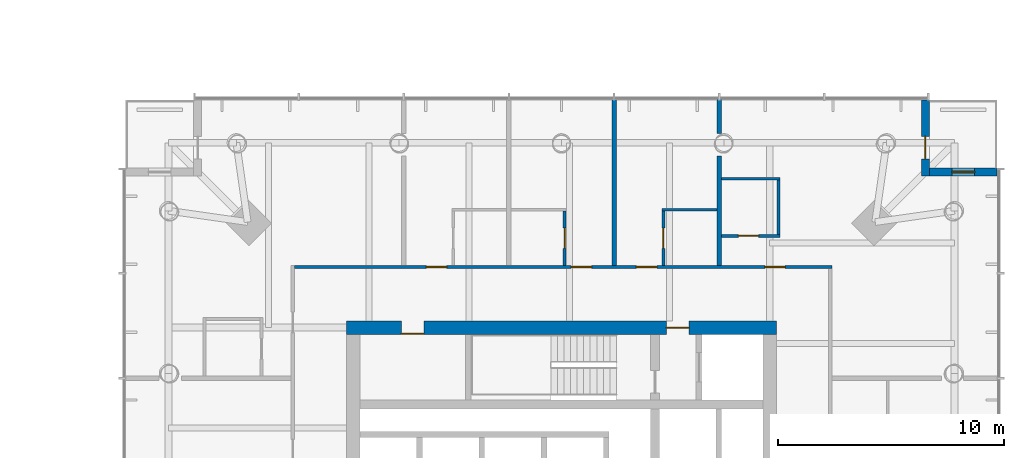
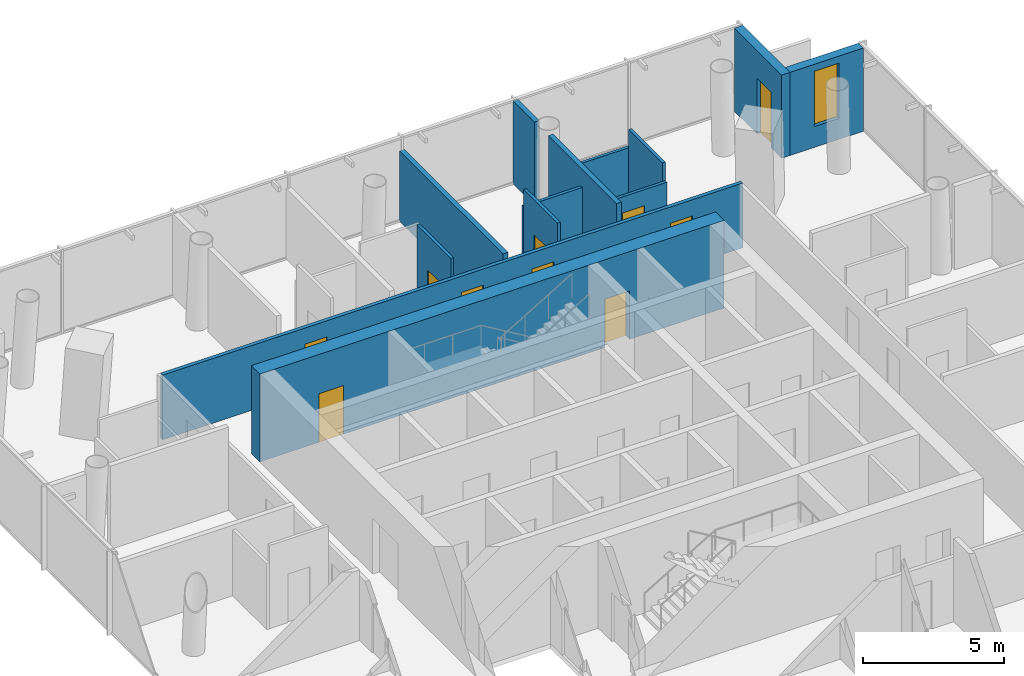
# One storey, part 17 of 21: 13 walls, 10 doors, 1 window, 11 openings.
"""IFC4 building model written with IfcOpenShell, lengths in metres."""

from ifc_helpers import new_model, si_unit, direction, frame, frame_2d, origin, place, context, subcontext, project, spatial, rectangle, extrude, material, layer, layer_set, type_object, element, fill, save


model = new_model("IFC4")

# Units and contexts
model_context = context("Model", 3, precision=1e-05, world=origin(), true_north=direction((0.0, 1.0)))
body_context = subcontext(model_context, "Body", "Model", "MODEL_VIEW")
ifc_project = project(units=[si_unit("LENGTHUNIT", "METRE"), si_unit("AREAUNIT", "SQUARE_METRE"), si_unit("VOLUMEUNIT", "CUBIC_METRE"), si_unit("PLANEANGLEUNIT", "RADIAN"), si_unit("MASSUNIT", "GRAM", prefix="KILO")], contexts=[model_context])

# Site, building, storey
site_placement = place(None, origin())
site = spatial("IfcSite", under=ifc_project, at=site_placement, CompositionType="ELEMENT")
building_placement = place(site_placement, origin())
building = spatial("IfcBuilding", under=site, at=building_placement, Name="Ostroluk Exchange", CompositionType="ELEMENT")
storey_placement = place(building_placement, frame((0.0, 0.0, 59.0)))
storey = spatial("IfcBuildingStorey", under=building, at=storey_placement, Name="L14", CompositionType="ELEMENT", Elevation=59.0)

# Wall, openings, doors
ifc_material_1 = material(Name="Concrete C50/60", Category="concrete")
ifc_layer_1 = layer(ifc_material_1, 0.60009765625)
ifc_layer_set_1 = layer_set([ifc_layer_1], Name="Core wall 600 C50/60")
wall_type_1 = type_object("IfcWallType", Name="Core wall 600 C50/60", PredefinedType="SHEAR", material=ifc_layer_set_1)
wall_1_placement = place(storey_placement, frame((107.5, 55.199951171875, 0.0), z_axis=(0.0, 0.0, 1.0), x_axis=(1.0, 0.0, 0.0)))
wall_1 = element("IfcWall", 1, at=wall_1_placement, inside=storey, type_object=wall_type_1, Name="T2 core wall N", PredefinedType="SHEAR", context=body_context, shape_type="SweptSolid", body=[
    extrude(rectangle(XDim=19.0, YDim=0.60009765625, at=frame_2d((9.5, 0.0))), origin(), (0.0, 0.0, 1.0), 3.800048828125),
])
opening_1_placement = place(wall_1_placement, frame((14.139892578125, 0.0, 0.0)))
opening_1 = element("IfcOpeningElement", 2, at=opening_1_placement, cuts=wall_1, Name="Opening FD60", PredefinedType="OPENING", context=body_context, shape_type="SweptSolid", body=[
    extrude(rectangle(XDim=1.0, YDim=2.10009765625, at=frame_2d((0.5, 1.050048828125))), frame((0.0, 0.31005859375, 0.0), z_axis=(0.0, -1.0, 0.0), x_axis=(1.0, 0.0, 0.0)), (0.0, 0.0, 1.0), 0.6201171875),
])
opening_2_placement = place(wall_1_placement, frame((2.425048828125, 0.0, 0.0)))
opening_2 = element("IfcOpeningElement", 3, at=opening_2_placement, cuts=wall_1, Name="Opening FD60", PredefinedType="OPENING", context=body_context, shape_type="SweptSolid", body=[
    extrude(rectangle(XDim=1.0, YDim=2.10009765625, at=frame_2d((0.5, 1.050048828125))), frame((0.0, 0.31005859375, 0.0), z_axis=(0.0, -1.0, 0.0), x_axis=(1.0, 0.0, 0.0)), (0.0, 0.0, 1.0), 0.6201171875),
])
ifc_material_2 = material(Name="Steel", Category="steel")
door_type_1 = type_object("IfcDoorType", Name="Fire door EI 60 1000 x 2100", OperationType="SINGLE_SWING_LEFT", PredefinedType="DOOR", material=ifc_material_2)
door_1_placement = place(opening_1_placement, origin())
door_1 = element("IfcDoor", 4, at=door_1_placement, inside=storey, type_object=door_type_1, Name="Firefighting lobby door", OperationType="SINGLE_SWING_RIGHT", OverallHeight=2.10009765625, OverallWidth=1.0, PredefinedType="DOOR", context=body_context, shape_type="SweptSolid", body=[
    extrude(rectangle(XDim=1.0, YDim=2.10009765625, at=frame_2d((0.5, 1.050048828125))), frame((0.0, 0.02490234375, 0.0), z_axis=(0.0, -1.0, 0.0), x_axis=(1.0, 0.0, 0.0)), (0.0, 0.0, 1.0), 0.050048828125),
])
fill(opening_1, door_1)
door_2_placement = place(opening_2_placement, origin())
door_2 = element("IfcDoor", 5, at=door_2_placement, inside=storey, type_object=door_type_1, Name="Guest pantry door", OperationType="SINGLE_SWING_LEFT", OverallHeight=2.10009765625, OverallWidth=1.0, PredefinedType="DOOR", context=body_context, shape_type="SweptSolid", body=[
    extrude(rectangle(XDim=1.0, YDim=2.10009765625, at=frame_2d((0.5, 1.050048828125))), frame((0.0, -0.23974609375, 0.0), z_axis=(0.0, -1.0, 0.0), x_axis=(1.0, 0.0, 0.0)), (0.0, 0.0, 1.0), 0.050048828125),
])
fill(opening_2, door_2)

# Wall, opening, door
ifc_material_3 = material(Name="Limestone", Category="masonry")
ifc_layer_2 = layer(ifc_material_3, 0.35009765625)
ifc_layer_set_2 = layer_set([ifc_layer_2], Name="Limestone facade wall 350")
wall_type_2 = type_object("IfcWallType", Name="Limestone facade wall 350", PredefinedType="SOLIDWALL", material=ifc_layer_set_2)
wall_2_placement = place(storey_placement, frame((133.074951171875, 65.25, 0.0), z_axis=(0.0, 0.0, 1.0), x_axis=(0.0, -1.0, 0.0)))
wall_2 = element("IfcWall", 6, at=wall_2_placement, inside=storey, type_object=wall_type_2, Name="Hotel tower NE corner wall L14 a", PredefinedType="SOLIDWALL", context=body_context, shape_type="SweptSolid", body=[
    extrude(rectangle(XDim=3.35009765625, YDim=0.35009765625, at=frame_2d((1.675048828125, 0.0))), origin(), (0.0, 0.0, 1.0), 3.60009765625),
])
opening_3_placement = place(wall_2_placement, frame((1.60009765625, 0.0, 0.0)))
opening_3 = element("IfcOpeningElement", 7, at=opening_3_placement, cuts=wall_2, Name="Opening D-B1", PredefinedType="OPENING", context=body_context, shape_type="SweptSolid", body=[
    extrude(rectangle(XDim=1.0, YDim=2.39990234375, at=frame_2d((0.5, 1.199951171875))), frame((0.0, 0.18505859375, 0.0), z_axis=(0.0, -1.0, 0.0), x_axis=(1.0, 0.0, 0.0)), (0.0, 0.0, 1.0), 0.3701171875),
])
ifc_material_4 = material(Name="Bronze framed glazed door", Category="aluminium")
door_type_2 = type_object("IfcDoorType", Name="Balcony door 1000 x 2400", OperationType="SINGLE_SWING_LEFT", PredefinedType="DOOR", material=ifc_material_4)
door_3_placement = place(opening_3_placement, origin())
door_3 = element("IfcDoor", 8, at=door_3_placement, inside=storey, type_object=door_type_2, Name="Hotel tower NE balcony door L14", OperationType="SINGLE_SWING_RIGHT", OverallHeight=2.39990234375, OverallWidth=1.0, PredefinedType="DOOR", context=body_context, shape_type="SweptSolid", body=[
    extrude(rectangle(XDim=1.0, YDim=2.39990234375, at=frame_2d((0.5, 1.199951171875))), frame((0.0, 0.02490234375, 0.0), z_axis=(0.0, -1.0, 0.0), x_axis=(1.0, 0.0, 0.0)), (0.0, 0.0, 1.0), 0.050048828125),
])
fill(opening_3, door_3)

# Wall, opening, window
wall_3_placement = place(storey_placement, frame((133.25, 62.074951171875, 0.0), z_axis=(0.0, 0.0, 1.0), x_axis=(1.0, 0.0, 0.0)))
wall_3 = element("IfcWall", 9, at=wall_3_placement, inside=storey, type_object=wall_type_2, Name="Hotel tower NE corner wall L14 b", PredefinedType="SOLIDWALL", context=body_context, shape_type="SweptSolid", body=[
    extrude(rectangle(XDim=3.0, YDim=0.35009765625, at=frame_2d((1.5, 0.0))), origin(), (0.0, 0.0, 1.0), 3.60009765625),
])
opening_4_placement = place(wall_3_placement, frame((1.0, 0.0, 0.89990234375)))
opening_4 = element("IfcOpeningElement", 10, at=opening_4_placement, cuts=wall_3, Name="Opening WN-L3", PredefinedType="OPENING", context=body_context, shape_type="SweptSolid", body=[
    extrude(rectangle(XDim=1.0, YDim=2.39990234375, at=frame_2d((0.5, 1.199951171875))), frame((0.0, 0.18505859375, 0.0), z_axis=(0.0, -1.0, 0.0), x_axis=(1.0, 0.0, 0.0)), (0.0, 0.0, 1.0), 0.3701171875),
])
ifc_material_5 = material(Name="Laminated clear glass", Category="glass")
window_type = type_object("IfcWindowType", Name="Hotel lancet window 1000 x 2400", PartitioningType="SINGLE_PANEL", PredefinedType="WINDOW", material=ifc_material_5)
window_placement = place(opening_4_placement, origin())
window = element("IfcWindow", 11, at=window_placement, inside=storey, type_object=window_type, Name="Hotel tower NE lancet window L14", OverallHeight=2.39990234375, OverallWidth=1.0, PartitioningType="SINGLE_PANEL", PredefinedType="WINDOW", context=body_context, shape_type="SweptSolid", body=[
    extrude(rectangle(XDim=1.0, YDim=2.39990234375, at=frame_2d((0.5, 1.199951171875))), frame((0.0, 0.030029296875, 0.0), z_axis=(0.0, -1.0, 0.0), x_axis=(1.0, 0.0, 0.0)), (0.0, 0.0, 1.0), 0.06005859375),
])
fill(opening_4, window)

# Wall, opening, door
ifc_material_6 = material(Name="Gypsum plasterboard partition, moisture resistant", Category="gypsum")
ifc_layer_3 = layer(ifc_material_6, 0.1201171875)
ifc_layer_set_3 = layer_set([ifc_layer_3], Name="Plasterboard en-suite wall 120")
wall_type_3 = type_object("IfcWallType", Name="Plasterboard en-suite wall 120", PredefinedType="PARTITIONING", material=ifc_layer_set_3)
wall_4_placement = place(storey_placement, frame((124.064208984375, 59.25, 0.0), z_axis=(0.0, 0.0, 1.0), x_axis=(1.0, 0.0, 0.0)))
wall_4 = element("IfcWall", 12, at=wall_4_placement, inside=storey, type_object=wall_type_3, Name="En-suite wall", PredefinedType="PARTITIONING", context=body_context, shape_type="SweptSolid", body=[
    extrude(rectangle(XDim=2.580078125, YDim=0.1201171875, at=frame_2d((1.2900390625, 0.0))), origin(), (0.0, 0.0, 1.0), 2.800048828125),
])
opening_5_placement = place(wall_4_placement, frame((0.75, 0.0, 0.0)))
opening_5 = element("IfcOpeningElement", 13, at=opening_5_placement, cuts=wall_4, Name="Opening D-02", PredefinedType="OPENING", context=body_context, shape_type="SweptSolid", body=[
    extrude(rectangle(XDim=0.89990234375, YDim=2.10009765625, at=frame_2d((0.449951171875, 1.050048828125))), frame((0.0, 0.070068359375, 0.0), z_axis=(0.0, -1.0, 0.0), x_axis=(1.0, 0.0, 0.0)), (0.0, 0.0, 1.0), 0.14013671875),
])
ifc_material_7 = material(Name="Timber", Category="wood")
door_type_3 = type_object("IfcDoorType", Name="En-suite door 900 x 2100", OperationType="SINGLE_SWING_LEFT", PredefinedType="DOOR", material=ifc_material_7)
door_4_placement = place(opening_5_placement, origin())
door_4 = element("IfcDoor", 14, at=door_4_placement, inside=storey, type_object=door_type_3, Name="En-suite door 1404", OperationType="SINGLE_SWING_LEFT", OverallHeight=2.10009765625, OverallWidth=0.89990234375, PredefinedType="DOOR", context=body_context, shape_type="SweptSolid", body=[
    extrude(rectangle(XDim=0.89990234375, YDim=2.10009765625, at=frame_2d((0.449951171875, 1.050048828125))), frame((0.0, 0.02490234375, 0.0), z_axis=(0.0, -1.0, 0.0), x_axis=(1.0, 0.0, 0.0)), (0.0, 0.0, 1.0), 0.050048828125),
])
fill(opening_5, door_4)

# Walls
wall_5_placement = place(storey_placement, frame((124.064208984375, 61.77001953125, 0.0), z_axis=(0.0, 0.0, 1.0), x_axis=(1.0, 0.0, 0.0)))
element("IfcWall", 15, at=wall_5_placement, inside=storey, type_object=wall_type_3, Name="En-suite wall", PredefinedType="PARTITIONING", context=body_context, shape_type="SweptSolid", body=[
    extrude(rectangle(XDim=2.580078125, YDim=0.1201171875, at=frame_2d((1.2900390625, 0.0))), origin(), (0.0, 0.0, 1.0), 2.800048828125),
])
wall_6_placement = place(storey_placement, frame((126.584228515625, 59.31005859375, 0.0), z_axis=(0.0, 0.0, 1.0), x_axis=(0.0, 1.0, 0.0)))
element("IfcWall", 16, at=wall_6_placement, inside=storey, type_object=wall_type_3, Name="En-suite wall", PredefinedType="PARTITIONING", context=body_context, shape_type="SweptSolid", body=[
    extrude(rectangle(XDim=2.39990234375, YDim=0.1201171875, at=frame_2d((1.199951171875, 0.0))), origin(), (0.0, 0.0, 1.0), 3.60009765625),
])
wall_7_placement = place(storey_placement, frame((123.8642578125, 60.409912109375, 0.0), z_axis=(0.0, 0.0, 1.0), x_axis=(-1.0, 0.0, 0.0)))
element("IfcWall", 17, at=wall_7_placement, inside=storey, type_object=wall_type_3, Name="En-suite wall", PredefinedType="PARTITIONING", context=body_context, shape_type="SweptSolid", body=[
    extrude(rectangle(XDim=2.419921875, YDim=0.1201171875, at=frame_2d((1.2099609375, 0.0))), origin(), (0.0, 0.0, 1.0), 2.846923828125),
])

# Wall, opening, door
wall_8_placement = place(storey_placement, frame((121.50439453125, 57.949951171875, 0.0), z_axis=(0.0, 0.0, 1.0), x_axis=(0.0, 1.0, 0.0)))
wall_8 = element("IfcWall", 18, at=wall_8_placement, inside=storey, type_object=wall_type_3, Name="En-suite wall", PredefinedType="PARTITIONING", context=body_context, shape_type="SweptSolid", body=[
    extrude(rectangle(XDim=2.400146484375, YDim=0.1201171875, at=frame_2d((1.2001953125, 0.0))), origin(), (0.0, 0.0, 1.0), 3.60009765625),
])
opening_6_placement = place(wall_8_placement, frame((0.75, 0.0, 0.0)))
opening_6 = element("IfcOpeningElement", 19, at=opening_6_placement, cuts=wall_8, Name="Opening D-02", PredefinedType="OPENING", context=body_context, shape_type="SweptSolid", body=[
    extrude(rectangle(XDim=0.89990234375, YDim=2.10009765625, at=frame_2d((0.449951171875, 1.050048828125))), frame((0.0, 0.070068359375, 0.0), z_axis=(0.0, -1.0, 0.0), x_axis=(1.0, 0.0, 0.0)), (0.0, 0.0, 1.0), 0.14013671875),
])
door_5_placement = place(opening_6_placement, origin())
door_5 = element("IfcDoor", 20, at=door_5_placement, inside=storey, type_object=door_type_3, Name="En-suite door 1405", OperationType="SINGLE_SWING_RIGHT", OverallHeight=2.10009765625, OverallWidth=0.89990234375, PredefinedType="DOOR", context=body_context, shape_type="SweptSolid", body=[
    extrude(rectangle(XDim=0.89990234375, YDim=2.10009765625, at=frame_2d((0.449951171875, 1.050048828125))), frame((0.0, 0.02490234375, 0.0), z_axis=(0.0, -1.0, 0.0), x_axis=(1.0, 0.0, 0.0)), (0.0, 0.0, 1.0), 0.050048828125),
])
fill(opening_6, door_5)

wall_9_placement = place(storey_placement, frame((117.138671875, 57.949951171875, 0.0), z_axis=(0.0, 0.0, 1.0), x_axis=(0.0, 1.0, 0.0)))
wall_9 = element("IfcWall", 21, at=wall_9_placement, inside=storey, type_object=wall_type_3, Name="En-suite wall", PredefinedType="PARTITIONING", context=body_context, shape_type="SweptSolid", body=[
    extrude(rectangle(XDim=2.400146484375, YDim=0.1201171875, at=frame_2d((1.2001953125, 0.0))), origin(), (0.0, 0.0, 1.0), 3.60009765625),
])
opening_7_placement = place(wall_9_placement, frame((0.75, 0.0, 0.0)))
opening_7 = element("IfcOpeningElement", 22, at=opening_7_placement, cuts=wall_9, Name="Opening D-02", PredefinedType="OPENING", context=body_context, shape_type="SweptSolid", body=[
    extrude(rectangle(XDim=0.89990234375, YDim=2.10009765625, at=frame_2d((0.449951171875, 1.050048828125))), frame((0.0, 0.070068359375, 0.0), z_axis=(0.0, -1.0, 0.0), x_axis=(1.0, 0.0, 0.0)), (0.0, 0.0, 1.0), 0.14013671875),
])
door_6_placement = place(opening_7_placement, origin())
door_6 = element("IfcDoor", 23, at=door_6_placement, inside=storey, type_object=door_type_3, Name="En-suite door 1406", OperationType="SINGLE_SWING_RIGHT", OverallHeight=2.10009765625, OverallWidth=0.89990234375, PredefinedType="DOOR", context=body_context, shape_type="SweptSolid", body=[
    extrude(rectangle(XDim=0.89990234375, YDim=2.10009765625, at=frame_2d((0.449951171875, 1.050048828125))), frame((0.0, 0.02490234375, 0.0), z_axis=(0.0, -1.0, 0.0), x_axis=(1.0, 0.0, 0.0)), (0.0, 0.0, 1.0), 0.050048828125),
])
fill(opening_7, door_6)

# Wall, openings, doors
ifc_material_8 = material(Name="Gypsum plasterboard partition", Category="gypsum")
ifc_layer_4 = layer(ifc_material_8, 0.14990234375)
ifc_layer_set_4 = layer_set([ifc_layer_4], Name="Plasterboard partition 150")
wall_type_4 = type_object("IfcWallType", Name="Plasterboard partition 150", PredefinedType="PARTITIONING", material=ifc_layer_set_4)
wall_10_placement = place(storey_placement, frame((128.949951171875, 57.875, 0.0), z_axis=(0.0, 0.0, 1.0), x_axis=(-1.0, 0.0, 0.0)))
wall_10 = element("IfcWall", 24, at=wall_10_placement, inside=storey, type_object=wall_type_4, Name="Corridor wall", PredefinedType="PARTITIONING", context=body_context, shape_type="SweptSolid", body=[
    extrude(rectangle(XDim=23.75, YDim=0.14990234375, at=frame_2d((11.875, 0.0))), origin(), (0.0, 0.0, 1.0), 2.800048828125),
])
opening_8_placement = place(wall_10_placement, frame((2.06787109375, 0.0, 0.0)))
opening_8 = element("IfcOpeningElement", 25, at=opening_8_placement, cuts=wall_10, Name="Opening D-01", PredefinedType="OPENING", context=body_context, shape_type="SweptSolid", body=[
    extrude(rectangle(XDim=0.89990234375, YDim=2.10009765625, at=frame_2d((0.449951171875, 1.050048828125))), frame((0.0, 0.0849609375, 0.0), z_axis=(0.0, -1.0, 0.0), x_axis=(1.0, 0.0, 0.0)), (0.0, 0.0, 1.0), 0.169921875),
])
opening_9_placement = place(wall_10_placement, frame((7.735595703125, 0.0, 0.0)))
opening_9 = element("IfcOpeningElement", 26, at=opening_9_placement, cuts=wall_10, Name="Opening D-01", PredefinedType="OPENING", context=body_context, shape_type="SweptSolid", body=[
    extrude(rectangle(XDim=0.89990234375, YDim=2.10009765625, at=frame_2d((0.449951171875, 1.050048828125))), frame((0.0, 0.0849609375, 0.0), z_axis=(0.0, -1.0, 0.0), x_axis=(1.0, 0.0, 0.0)), (0.0, 0.0, 1.0), 0.169921875),
])
opening_10_placement = place(wall_10_placement, frame((10.621337890625, 0.0, 0.0)))
opening_10 = element("IfcOpeningElement", 27, at=opening_10_placement, cuts=wall_10, Name="Opening D-01", PredefinedType="OPENING", context=body_context, shape_type="SweptSolid", body=[
    extrude(rectangle(XDim=0.89990234375, YDim=2.10009765625, at=frame_2d((0.449951171875, 1.050048828125))), frame((0.0, 0.0849609375, 0.0), z_axis=(0.0, -1.0, 0.0), x_axis=(1.0, 0.0, 0.0)), (0.0, 0.0, 1.0), 0.169921875),
])
opening_11_placement = place(wall_10_placement, frame((17.021484375, 0.0, 0.0)))
opening_11 = element("IfcOpeningElement", 28, at=opening_11_placement, cuts=wall_10, Name="Opening D-01", PredefinedType="OPENING", context=body_context, shape_type="SweptSolid", body=[
    extrude(rectangle(XDim=0.89990234375, YDim=2.10009765625, at=frame_2d((0.449951171875, 1.050048828125))), frame((0.0, 0.0849609375, 0.0), z_axis=(0.0, -1.0, 0.0), x_axis=(1.0, 0.0, 0.0)), (0.0, 0.0, 1.0), 0.169921875),
])
ifc_material_9 = material(Name="Timber", Category="wood")
door_type_4 = type_object("IfcDoorType", Name="Hotel room door EI 30 Sa 900 x 2100", OperationType="SINGLE_SWING_LEFT", PredefinedType="DOOR", material=ifc_material_9)
door_7_placement = place(opening_8_placement, origin())
door_7 = element("IfcDoor", 29, at=door_7_placement, inside=storey, type_object=door_type_4, Name="Room door 1404", OperationType="SINGLE_SWING_LEFT", OverallHeight=2.10009765625, OverallWidth=0.89990234375, PredefinedType="DOOR", context=body_context, shape_type="SweptSolid", body=[
    extrude(rectangle(XDim=0.89990234375, YDim=2.10009765625, at=frame_2d((0.449951171875, 1.050048828125))), frame((0.0, 0.02490234375, 0.0), z_axis=(0.0, -1.0, 0.0), x_axis=(1.0, 0.0, 0.0)), (0.0, 0.0, 1.0), 0.050048828125),
])
fill(opening_8, door_7)
door_8_placement = place(opening_9_placement, origin())
door_8 = element("IfcDoor", 30, at=door_8_placement, inside=storey, type_object=door_type_4, Name="Room door 1405", OperationType="SINGLE_SWING_LEFT", OverallHeight=2.10009765625, OverallWidth=0.89990234375, PredefinedType="DOOR", context=body_context, shape_type="SweptSolid", body=[
    extrude(rectangle(XDim=0.89990234375, YDim=2.10009765625, at=frame_2d((0.449951171875, 1.050048828125))), frame((0.0, 0.02490234375, 0.0), z_axis=(0.0, -1.0, 0.0), x_axis=(1.0, 0.0, 0.0)), (0.0, 0.0, 1.0), 0.050048828125),
])
fill(opening_9, door_8)
door_9_placement = place(opening_10_placement, origin())
door_9 = element("IfcDoor", 31, at=door_9_placement, inside=storey, type_object=door_type_4, Name="Room door 1406", OperationType="SINGLE_SWING_LEFT", OverallHeight=2.10009765625, OverallWidth=0.89990234375, PredefinedType="DOOR", context=body_context, shape_type="SweptSolid", body=[
    extrude(rectangle(XDim=0.89990234375, YDim=2.10009765625, at=frame_2d((0.449951171875, 1.050048828125))), frame((0.0, 0.02490234375, 0.0), z_axis=(0.0, -1.0, 0.0), x_axis=(1.0, 0.0, 0.0)), (0.0, 0.0, 1.0), 0.050048828125),
])
fill(opening_10, door_9)
door_10_placement = place(opening_11_placement, origin())
door_10 = element("IfcDoor", 32, at=door_10_placement, inside=storey, type_object=door_type_4, Name="Room door 1407", OperationType="SINGLE_SWING_RIGHT", OverallHeight=2.10009765625, OverallWidth=0.89990234375, PredefinedType="DOOR", context=body_context, shape_type="SweptSolid", body=[
    extrude(rectangle(XDim=0.89990234375, YDim=2.10009765625, at=frame_2d((0.449951171875, 1.050048828125))), frame((0.0, 0.02490234375, 0.0), z_axis=(0.0, -1.0, 0.0), x_axis=(1.0, 0.0, 0.0)), (0.0, 0.0, 1.0), 0.050048828125),
])
fill(opening_11, door_10)

# Walls
ifc_material_10 = material(Name="Gypsum plasterboard partition", Category="gypsum")
ifc_layer_5 = layer(ifc_material_10, 0.199951171875)
ifc_layer_set_5 = layer_set([ifc_layer_5], Name="Plasterboard party wall 200")
wall_type_5 = type_object("IfcWallType", Name="Plasterboard party wall 200", PredefinedType="PARTITIONING", material=ifc_layer_set_5)
wall_11_placement = place(storey_placement, frame((123.96435546875, 57.949951171875, 0.0), z_axis=(0.0, 0.0, 1.0), x_axis=(0.0, 1.0, 0.0)))
element("IfcWall", 33, at=wall_11_placement, inside=storey, type_object=wall_type_5, Name="Party wall", PredefinedType="PARTITIONING", context=body_context, shape_type="SweptSolid", body=[
    extrude(rectangle(XDim=4.841796875, YDim=0.199951171875, at=frame_2d((2.4208984375, 0.0))), origin(), (0.0, 0.0, 1.0), 3.60009765625),
])
wall_12_placement = place(storey_placement, frame((123.96435546875, 63.7685546875, 0.0), z_axis=(0.0, 0.0, 1.0), x_axis=(0.0, 1.0, 0.0)))
element("IfcWall", 34, at=wall_12_placement, inside=storey, type_object=wall_type_5, Name="Party wall", PredefinedType="PARTITIONING", context=body_context, shape_type="SweptSolid", body=[
    extrude(rectangle(XDim=1.521484375, YDim=0.199951171875, at=frame_2d((0.7607421875, 0.0))), origin(), (0.0, 0.0, 1.0), 3.60009765625),
])
wall_13_placement = place(storey_placement, frame((119.321533203125, 57.949951171875, 0.0), z_axis=(0.0, 0.0, 1.0), x_axis=(0.0, 1.0, 0.0)))
element("IfcWall", 35, at=wall_13_placement, inside=storey, type_object=wall_type_5, Name="Party wall", PredefinedType="PARTITIONING", context=body_context, shape_type="SweptSolid", body=[
    extrude(rectangle(XDim=7.340087890625, YDim=0.199951171875, at=frame_2d((3.669921875, 0.0))), origin(), (0.0, 0.0, 1.0), 3.050048828125),
])

save(model, "model.ifc")
